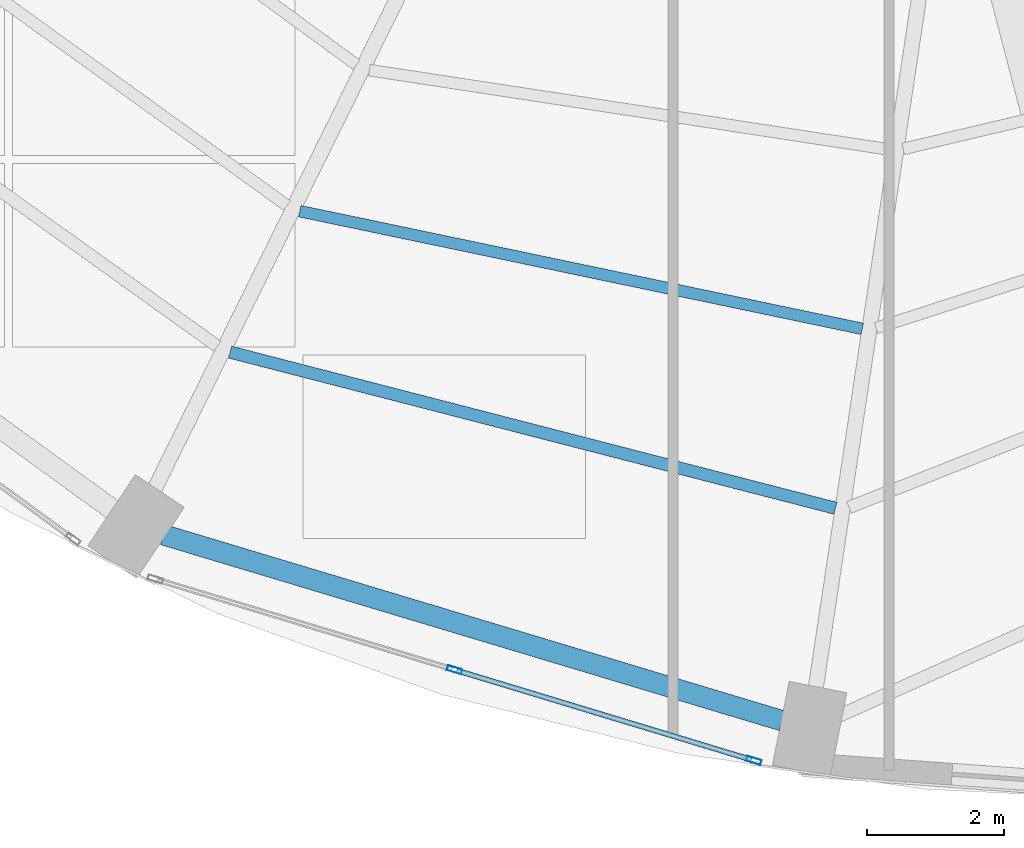
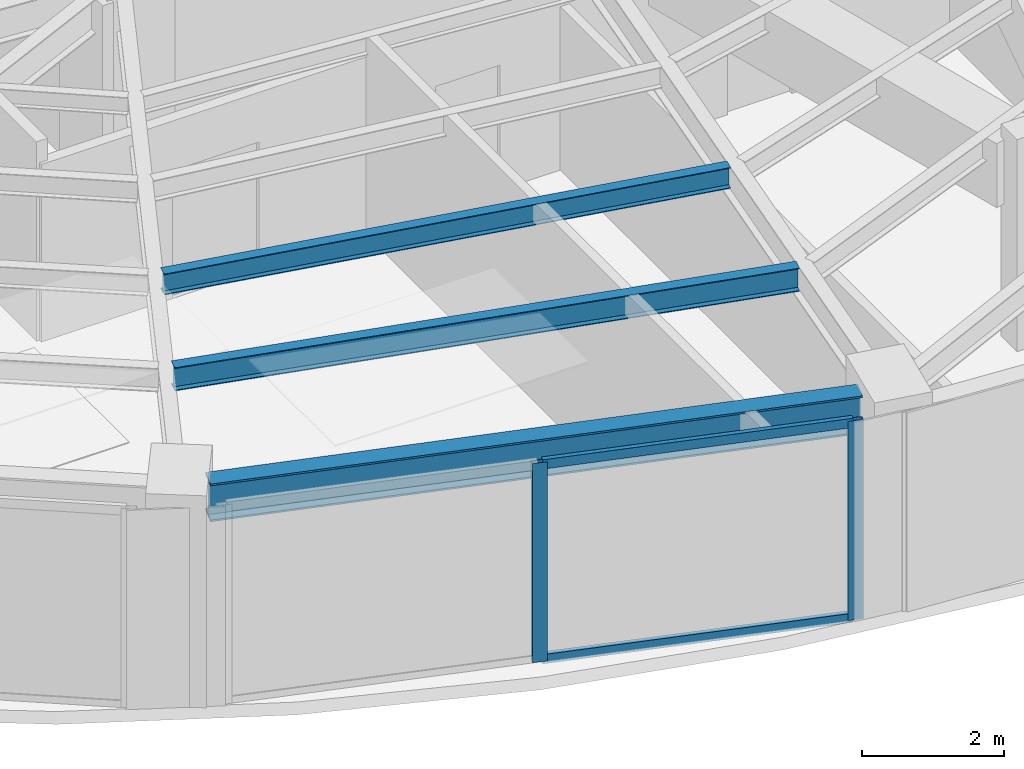
# One storey, part 5 of 24: 4 members, 3 beams, 1 element without a shape of its own.
"""IFC4 building model written with IfcOpenShell, lengths in metres."""

from ifc_helpers import new_model, si_unit, direction, frame, origin, origin_2d, place, context, subcontext, project, spatial, hollow_rectangle, i_section, extrude, material, layer, layer_set, material_profile, profile_set, type_object, element, aggregate, save


model = new_model("IFC4")

# Units and contexts
model_context = context("Model", 3, precision=1e-05, world=origin(), true_north=direction((0.0, 1.0)))
body_context = subcontext(model_context, "Body", "Model", "MODEL_VIEW")
ifc_project = project(units=[si_unit("LENGTHUNIT", "METRE"), si_unit("AREAUNIT", "SQUARE_METRE"), si_unit("VOLUMEUNIT", "CUBIC_METRE"), si_unit("PLANEANGLEUNIT", "RADIAN"), si_unit("MASSUNIT", "GRAM", prefix="KILO")], contexts=[model_context])

# Site, building, storey
site_placement = place(None, origin())
site = spatial("IfcSite", under=ifc_project, at=site_placement, CompositionType="ELEMENT")
building_placement = place(site_placement, origin())
building = spatial("IfcBuilding", under=site, at=building_placement, Name="Lazwardi Medical Tower", CompositionType="ELEMENT")
storey_placement = place(building_placement, frame((0.0, 0.0, 58.031982421875)))
storey = spatial("IfcBuildingStorey", under=building, at=storey_placement, Name="L14", CompositionType="ELEMENT", Elevation=58.031982421875)

# Beams
ifc_material_1 = material(Name="Steel S355", Category="steel")
ifc_material_profile_1 = material_profile(ifc_material_1, i_section(OverallWidth=0.300048828125, OverallDepth=0.64990234375, WebThickness=0.01611328125, FlangeThickness=0.031005859375, at=origin_2d()), Name="HEB 650")
ifc_profile_set_1 = profile_set([ifc_material_profile_1], Name="Steel S355")
beam_type_1 = type_object("IfcBeamType", Name="BM-RB-Z1", PredefinedType="BEAM", material=ifc_profile_set_1)
beam_1_placement = place(storey_placement, frame((21.22119140625, 8.9951171875, 3.10302734375), z_axis=(0.957695289269, -0.287784177662, 0.0), x_axis=(0.287784177662, 0.957695289269, 0.0)))
element("IfcBeam", 1, at=beam_1_placement, inside=storey, type_object=beam_type_1, Name="Ring beam RB-02 B15 L14", PredefinedType="BEAM", context=body_context, shape_type="SweptSolid", body=[
    extrude(i_section(OverallWidth=0.300048828125, OverallDepth=0.64990234375, WebThickness=0.01611328125, FlangeThickness=0.031005859375, at=origin_2d()), origin(), (0.0, 0.0, 1.0), 9.445556640625),
])
ifc_material_profile_2 = material_profile(ifc_material_1, i_section(OverallWidth=0.179931640625, OverallDepth=0.39990234375, WebThickness=0.008544921875, FlangeThickness=0.013427734375, at=origin_2d()), Name="IPE 400")
ifc_profile_set_2 = profile_set([ifc_material_profile_2], Name="Steel S355")
beam_type_2 = type_object("IfcBeamType", Name="BM-SJ-01", PredefinedType="JOIST", material=ifc_profile_set_2)
beam_2_placement = place(storey_placement, frame((22.195068359375, 11.666748046875, 3.22802734375), z_axis=(0.968316918308, -0.249724539682, 0.0), x_axis=(0.249724539682, 0.968316918308, 0.0)))
element("IfcBeam", 2, at=beam_2_placement, inside=storey, type_object=beam_type_2, Name="Secondary joist SJ-01 R1 B15 L14", PredefinedType="JOIST", context=body_context, shape_type="SweptSolid", body=[
    extrude(i_section(OverallWidth=0.179931640625, OverallDepth=0.39990234375, WebThickness=0.008544921875, FlangeThickness=0.013427734375, at=origin_2d()), origin(), (0.0, 0.0, 1.0), 9.140869140625),
])
ifc_material_profile_3 = material_profile(ifc_material_1, i_section(OverallWidth=0.169921875, OverallDepth=0.360107421875, WebThickness=0.008056640625, FlangeThickness=0.0126953125, at=origin_2d()), Name="IPE 360")
ifc_profile_set_3 = profile_set([ifc_material_profile_3], Name="Steel S355")
beam_type_3 = type_object("IfcBeamType", Name="BM-SJ-02", PredefinedType="JOIST", material=ifc_profile_set_3)
beam_3_placement = place(storey_placement, frame((23.213623046875, 13.728271484375, 3.248046875), z_axis=(0.978809182847, -0.204774470026, 0.0), x_axis=(0.204774470026, 0.978809182847, 0.0)))
element("IfcBeam", 3, at=beam_3_placement, inside=storey, type_object=beam_type_3, Name="Secondary joist SJ-02 R2 B15 L14", PredefinedType="JOIST", context=body_context, shape_type="SweptSolid", body=[
    extrude(i_section(OverallWidth=0.169921875, OverallDepth=0.360107421875, WebThickness=0.008056640625, FlangeThickness=0.0126953125, at=origin_2d()), origin(), (0.0, 0.0, 1.0), 8.40283203125),
])

# Curtain wall, members
ifc_material_2 = material(Name="Anodised bronze aluminium and solar control glazing", Category="aluminium")
ifc_layer = layer(ifc_material_2, 0.199951171875)
ifc_layer_set = layer_set([ifc_layer], Name="Anodised bronze aluminium and solar control glazing")
curtain_wall_type = type_object("IfcCurtainWallType", Name="CW-SYS-02", PredefinedType="NOTDEFINED", material=ifc_layer_set)
curtain_wall_placement = place(storey_placement, origin())
curtain_wall = element("IfcCurtainWall", 4, at=curtain_wall_placement, inside=storey, type_object=curtain_wall_type, Name="L14 Unitised bronze curtain wall CW-02", PredefinedType="NOTDEFINED")
ifc_material_3 = material(Name="Anodised bronze aluminium", Category="aluminium")
ifc_material_profile_4 = material_profile(ifc_material_3, hollow_rectangle(XDim=0.074951171875, YDim=0.219970703125, WallThickness=0.00390625, at=origin_2d()), Name="ALU-MULLION 220x75x4")
ifc_profile_set_4 = profile_set([ifc_material_profile_4], Name="Anodised bronze aluminium")
member_type_1 = type_object("IfcMemberType", Name="CW-MUL-01", PredefinedType="MULLION", material=ifc_profile_set_4)
member_1_placement = place(storey_placement, frame((25.476806640625, 7.021484375, 0.0), z_axis=(0.0, 0.0, 1.0), x_axis=(0.2898956909, 0.957058247129, 0.0)))
member_1 = element("IfcMember", 5, at=member_1_placement, type_object=member_type_1, Name="CW-02 mullion 2", PredefinedType="MULLION", context=body_context, shape_type="SweptSolid", body=[
    extrude(hollow_rectangle(XDim=0.074951171875, YDim=0.219970703125, WallThickness=0.00390625, at=origin_2d()), origin(), (0.0, 0.0, 1.0), 3.427978515625),
])
member_2_placement = place(storey_placement, frame((29.85205078125, 5.6962890625, 0.0), z_axis=(0.0, 0.0, 1.0), x_axis=(0.2898956909, 0.957058247129, 0.0)))
member_2 = element("IfcMember", 6, at=member_2_placement, type_object=member_type_1, Name="CW-02 mullion 3", PredefinedType="MULLION", context=body_context, shape_type="SweptSolid", body=[
    extrude(hollow_rectangle(XDim=0.074951171875, YDim=0.219970703125, WallThickness=0.00390625, at=origin_2d()), origin(), (0.0, 0.0, 1.0), 3.427978515625),
])
ifc_material_profile_5 = material_profile(ifc_material_3, hollow_rectangle(XDim=0.074951171875, YDim=0.159912109375, WallThickness=0.00390625, at=origin_2d()), Name="ALU-TRANSOM 160x75x4")
ifc_profile_set_5 = profile_set([ifc_material_profile_5], Name="Anodised bronze aluminium")
member_type_2 = type_object("IfcMemberType", Name="CW-TRN-01", PredefinedType="USERDEFINED", material=ifc_profile_set_5)
member_3_placement = place(storey_placement, frame((25.5126953125, 7.0107421875, 0.03759765625), z_axis=(0.957047233423, -0.28993204893, 0.0), x_axis=(0.28993204893, 0.957047233423, 0.0)))
member_3 = element("IfcMember", 7, at=member_3_placement, type_object=member_type_2, Name="CW-02 transom 2.1", ObjectType="TRANSOM", PredefinedType="USERDEFINED", context=body_context, shape_type="SweptSolid", body=[
    extrude(hollow_rectangle(XDim=0.074951171875, YDim=0.159912109375, WallThickness=0.00390625, at=origin_2d()), origin(), (0.0, 0.0, 1.0), 4.49658203125),
])
member_4_placement = place(storey_placement, frame((25.5126953125, 7.0107421875, 3.390625), z_axis=(0.957047233423, -0.28993204893, 0.0), x_axis=(0.28993204893, 0.957047233423, 0.0)))
member_4 = element("IfcMember", 8, at=member_4_placement, type_object=member_type_2, Name="CW-02 transom 2.2", ObjectType="TRANSOM", PredefinedType="USERDEFINED", context=body_context, shape_type="SweptSolid", body=[
    extrude(hollow_rectangle(XDim=0.074951171875, YDim=0.159912109375, WallThickness=0.00390625, at=origin_2d()), origin(), (0.0, 0.0, 1.0), 4.49658203125),
])
aggregate(curtain_wall, [member_1, member_2, member_3, member_4])

save(model, "model.ifc")
